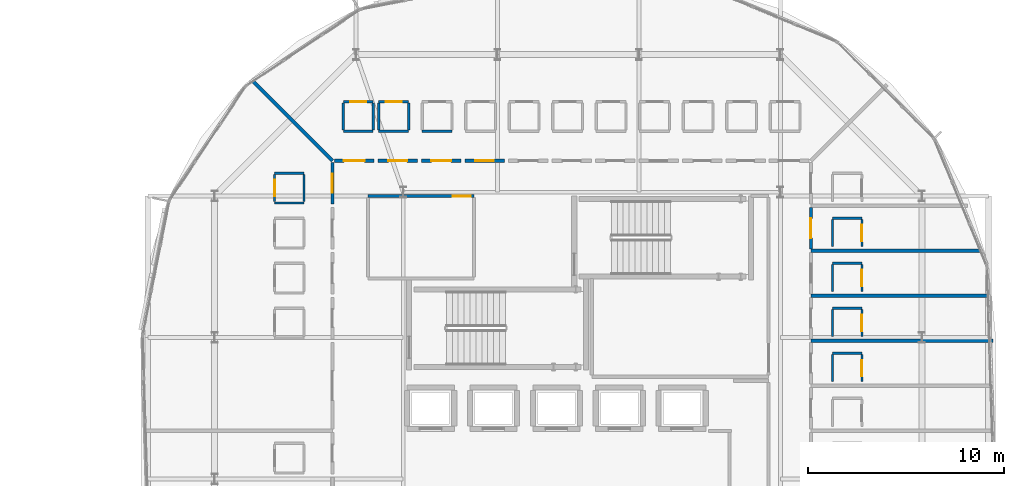
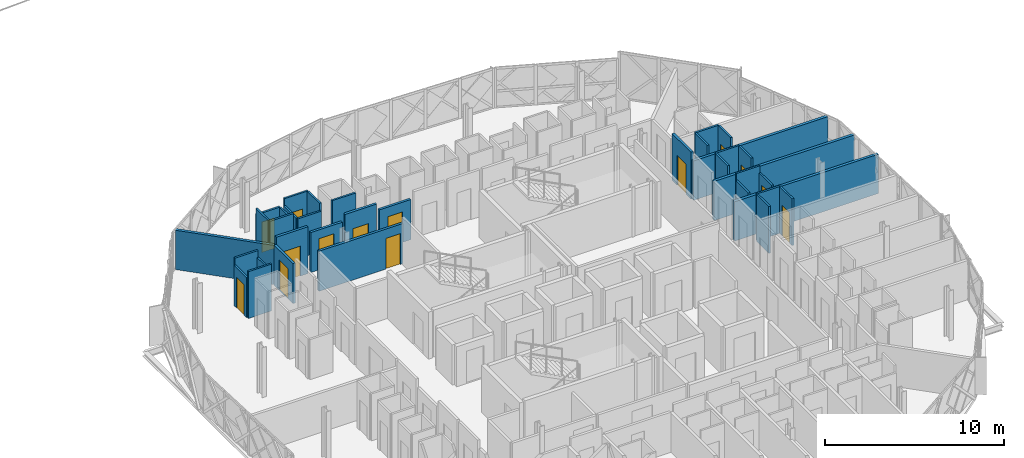
# One storey, part 43 of 50: 36 walls, 14 doors, 14 openings.
"""IFC4 building model written with IfcOpenShell, lengths in metres."""

from ifc_helpers import new_model, si_unit, direction, frame, frame_2d, origin, place, context, subcontext, project, spatial, rectangle, extrude, material, layer, layer_set, type_object, element, fill, save


model = new_model("IFC4")

# Units and contexts
model_context = context("Model", 3, precision=1e-05, world=origin(), true_north=direction((0.0, 1.0)))
body_context = subcontext(model_context, "Body", "Model", "MODEL_VIEW")
ifc_project = project(units=[si_unit("LENGTHUNIT", "METRE"), si_unit("AREAUNIT", "SQUARE_METRE"), si_unit("VOLUMEUNIT", "CUBIC_METRE"), si_unit("PLANEANGLEUNIT", "RADIAN"), si_unit("MASSUNIT", "GRAM", prefix="KILO")], contexts=[model_context])

# Site, building, storey
site_placement = place(None, origin())
site = spatial("IfcSite", under=ifc_project, at=site_placement, CompositionType="ELEMENT")
building_placement = place(site_placement, origin())
building = spatial("IfcBuilding", under=site, at=building_placement, Name="Zevrakil Square Congress Hotel", CompositionType="ELEMENT")
storey_placement = place(building_placement, frame((0.0, 0.0, 21.5)))
storey = spatial("IfcBuildingStorey", under=building, at=storey_placement, Name="L06", CompositionType="ELEMENT", Elevation=21.5)

# Wall, opening, door
ifc_material_1 = material(Name="Gypsum Acoustic Stud Partition")
ifc_layer_1 = layer(ifc_material_1, 0.159912109375)
ifc_layer_set_1 = layer_set([ifc_layer_1], Name="Gypsum Acoustic Stud Partition")
wall_type_1 = type_object("IfcWallType", Name="WAL-CORR-160", PredefinedType="PARTITIONING", material=ifc_layer_set_1)
wall_1_placement = place(storey_placement, frame((135.0, 38.39990234375, 0.0), z_axis=(0.0, 0.0, 1.0), x_axis=(1.0, 0.0, 0.0)))
wall_1 = element("IfcWall", 1, at=wall_1_placement, inside=storey, type_object=wall_type_1, Name="L06 interior partition PW-L06-0696", PredefinedType="PARTITIONING", context=body_context, shape_type="SweptSolid", body=[
    extrude(rectangle(XDim=5.39990234375, YDim=0.159912109375, at=frame_2d((2.699951171875, 0.0))), origin(), (0.0, 0.0, 1.0), 2.72998046875),
])
opening_1_placement = place(wall_1_placement, frame((4.320068359375, 0.0, 0.0)))
opening_1 = element("IfcOpeningElement", 2, at=opening_1_placement, cuts=wall_1, Name="Opening ID-07", PredefinedType="OPENING", context=body_context, shape_type="SweptSolid", body=[
    extrude(rectangle(XDim=0.919921875, YDim=2.10009765625, at=frame_2d((0.4599609375, 1.050048828125))), frame((0.0, 0.08984375, 0.0), z_axis=(0.0, -1.0, 0.0), x_axis=(1.0, 0.0, 0.0)), (0.0, 0.0, 1.0), 0.179931640625),
])
ifc_material_2 = material(Name="Accessible Restroom Door")
door_type_1 = type_object("IfcDoorType", Name="DOR-WC-092", OperationType="NOTDEFINED", PredefinedType="DOOR", material=ifc_material_2)
door_1_placement = place(opening_1_placement, origin())
door_1 = element("IfcDoor", 3, at=door_1_placement, inside=storey, type_object=door_type_1, Name="L06 interior door 277", OperationType="SINGLE_SWING_LEFT", OverallHeight=2.10009765625, OverallWidth=0.919921875, PredefinedType="DOOR", context=body_context, shape_type="SweptSolid", body=[
    extrude(rectangle(XDim=0.919921875, YDim=2.10009765625, at=frame_2d((0.4599609375, 1.050048828125))), frame((0.0, 0.02490234375, 0.0), z_axis=(0.0, -1.0, 0.0), x_axis=(1.0, 0.0, 0.0)), (0.0, 0.0, 1.0), 0.050048828125),
])
fill(opening_1, door_1)

wall_2_placement = place(storey_placement, frame((157.550048828125, 35.713134765625, 0.0), z_axis=(0.0, 0.0, 1.0), x_axis=(0.0, 1.0, 0.0)))
wall_2 = element("IfcWall", 4, at=wall_2_placement, inside=storey, type_object=wall_type_1, Name="L06 interior partition PW-L06-0807", PredefinedType="PARTITIONING", context=body_context, shape_type="SweptSolid", body=[
    extrude(rectangle(XDim=2.10107421875, YDim=0.159912109375, at=frame_2d((1.050537109375, 0.0))), origin(), (0.0, 0.0, 1.0), 3.195068359375),
])
opening_2_placement = place(wall_2_placement, frame((0.548095703125, 0.0, 0.0)))
opening_2 = element("IfcOpeningElement", 5, at=opening_2_placement, cuts=wall_2, Name="Opening ID-G07", PredefinedType="OPENING", context=body_context, shape_type="SweptSolid", body=[
    extrude(rectangle(XDim=1.0048828125, YDim=2.050048828125, at=frame_2d((0.50244140625, 1.02490234375))), frame((0.0, 0.08984375, 0.0), z_axis=(0.0, -1.0, 0.0), x_axis=(1.0, 0.0, 0.0)), (0.0, 0.0, 1.0), 0.179931640625),
])
ifc_material_3 = material(Name="Acoustic Timber Fire Door", Category="wood")
door_type_2 = type_object("IfcDoorType", Name="DOR-INT-G07", OperationType="NOTDEFINED", PredefinedType="DOOR", material=ifc_material_3)
door_2_placement = place(opening_2_placement, origin())
door_2 = element("IfcDoor", 6, at=door_2_placement, inside=storey, type_object=door_type_2, Name="L06 interior door 319", OperationType="SINGLE_SWING_LEFT", OverallHeight=2.050048828125, OverallWidth=1.0048828125, PredefinedType="DOOR", context=body_context, shape_type="SweptSolid", body=[
    extrude(rectangle(XDim=1.0048828125, YDim=2.050048828125, at=frame_2d((0.50244140625, 1.02490234375))), frame((0.0, 0.02490234375, 0.0), z_axis=(0.0, -1.0, 0.0), x_axis=(1.0, 0.0, 0.0)), (0.0, 0.0, 1.0), 0.050048828125),
])
fill(opening_2, door_2)

wall_3_placement = place(storey_placement, frame((139.935791015625, 40.199951171875, 0.0), z_axis=(0.0, 0.0, 1.0), x_axis=(1.0, 0.0, 0.0)))
wall_3 = element("IfcWall", 7, at=wall_3_placement, inside=storey, type_object=wall_type_1, Name="L06 interior partition PW-L06-0852", PredefinedType="PARTITIONING", context=body_context, shape_type="SweptSolid", body=[
    extrude(rectangle(XDim=2.023681640625, YDim=0.159912109375, at=frame_2d((1.01171875, 0.0))), origin(), (0.0, 0.0, 1.0), 2.72998046875),
])
opening_3_placement = place(wall_3_placement, frame((0.543701171875, 0.0, 0.0)))
opening_3 = element("IfcOpeningElement", 8, at=opening_3_placement, cuts=wall_3, Name="Opening ID-H08", PredefinedType="OPENING", context=body_context, shape_type="SweptSolid", body=[
    extrude(rectangle(XDim=0.93603515625, YDim=2.070068359375, at=frame_2d((0.468017578125, 1.03515625))), frame((0.0, 0.08984375, 0.0), z_axis=(0.0, -1.0, 0.0), x_axis=(1.0, 0.0, 0.0)), (0.0, 0.0, 1.0), 0.179931640625),
])
ifc_material_4 = material(Name="Acoustic Timber Fire Door", Category="wood")
door_type_3 = type_object("IfcDoorType", Name="DOR-INT-H08", OperationType="NOTDEFINED", PredefinedType="DOOR", material=ifc_material_4)
door_3_placement = place(opening_3_placement, origin())
door_3 = element("IfcDoor", 9, at=door_3_placement, inside=storey, type_object=door_type_3, Name="L06 interior door 337", OperationType="SINGLE_SWING_LEFT", OverallHeight=2.070068359375, OverallWidth=0.93603515625, PredefinedType="DOOR", context=body_context, shape_type="SweptSolid", body=[
    extrude(rectangle(XDim=0.93603515625, YDim=2.070068359375, at=frame_2d((0.468017578125, 1.03515625))), frame((0.0, 0.02490234375, 0.0), z_axis=(0.0, -1.0, 0.0), x_axis=(1.0, 0.0, 0.0)), (0.0, 0.0, 1.0), 0.050048828125),
])
fill(opening_3, door_3)

wall_4_placement = place(storey_placement, frame((137.722412109375, 40.199951171875, 0.0), z_axis=(0.0, 0.0, 1.0), x_axis=(1.0, 0.0, 0.0)))
wall_4 = element("IfcWall", 10, at=wall_4_placement, inside=storey, type_object=wall_type_1, Name="L06 interior partition PW-L06-0857", PredefinedType="PARTITIONING", context=body_context, shape_type="SweptSolid", body=[
    extrude(rectangle(XDim=2.0234375, YDim=0.159912109375, at=frame_2d((1.01171875, 0.0))), origin(), (0.0, 0.0, 1.0), 3.195068359375),
])
opening_4_placement = place(wall_4_placement, frame((0.50927734375, 0.0, 0.0)))
opening_4 = element("IfcOpeningElement", 11, at=opening_4_placement, cuts=wall_4, Name="Opening ID-G07", PredefinedType="OPENING", context=body_context, shape_type="SweptSolid", body=[
    extrude(rectangle(XDim=1.0048828125, YDim=2.050048828125, at=frame_2d((0.50244140625, 1.02490234375))), frame((0.0, 0.08984375, 0.0), z_axis=(0.0, -1.0, 0.0), x_axis=(1.0, 0.0, 0.0)), (0.0, 0.0, 1.0), 0.179931640625),
])
door_4_placement = place(opening_4_placement, origin())
door_4 = element("IfcDoor", 12, at=door_4_placement, inside=storey, type_object=door_type_2, Name="L06 interior door 339", OperationType="SINGLE_SWING_LEFT", OverallHeight=2.050048828125, OverallWidth=1.0048828125, PredefinedType="DOOR", context=body_context, shape_type="SweptSolid", body=[
    extrude(rectangle(XDim=1.0048828125, YDim=2.050048828125, at=frame_2d((0.50244140625, 1.02490234375))), frame((0.0, 0.02490234375, 0.0), z_axis=(0.0, -1.0, 0.0), x_axis=(1.0, 0.0, 0.0)), (0.0, 0.0, 1.0), 0.050048828125),
])
fill(opening_4, door_4)

wall_5_placement = place(storey_placement, frame((135.5087890625, 40.199951171875, 0.0), z_axis=(0.0, 0.0, 1.0), x_axis=(1.0, 0.0, 0.0)))
wall_5 = element("IfcWall", 13, at=wall_5_placement, inside=storey, type_object=wall_type_1, Name="L06 interior partition PW-L06-0862", PredefinedType="PARTITIONING", context=body_context, shape_type="SweptSolid", body=[
    extrude(rectangle(XDim=2.0234375, YDim=0.159912109375, at=frame_2d((1.01171875, 0.0))), origin(), (0.0, 0.0, 1.0), 2.72998046875),
])
opening_5_placement = place(wall_5_placement, frame((0.53173828125, 0.0, 0.0)))
opening_5 = element("IfcOpeningElement", 14, at=opening_5_placement, cuts=wall_5, Name="Opening ID-H10", PredefinedType="OPENING", context=body_context, shape_type="SweptSolid", body=[
    extrude(rectangle(XDim=0.9599609375, YDim=2.1298828125, at=frame_2d((0.47998046875, 1.06494140625))), frame((0.0, 0.08984375, 0.0), z_axis=(0.0, -1.0, 0.0), x_axis=(1.0, 0.0, 0.0)), (0.0, 0.0, 1.0), 0.179931640625),
])
ifc_material_5 = material(Name="Acoustic Timber Fire Door", Category="wood")
door_type_4 = type_object("IfcDoorType", Name="DOR-INT-H10", OperationType="NOTDEFINED", PredefinedType="DOOR", material=ifc_material_5)
door_5_placement = place(opening_5_placement, origin())
door_5 = element("IfcDoor", 15, at=door_5_placement, inside=storey, type_object=door_type_4, Name="L06 interior door 341", OperationType="SINGLE_SWING_LEFT", OverallHeight=2.1298828125, OverallWidth=0.9599609375, PredefinedType="DOOR", context=body_context, shape_type="SweptSolid", body=[
    extrude(rectangle(XDim=0.9599609375, YDim=2.1298828125, at=frame_2d((0.47998046875, 1.06494140625))), frame((0.0, 0.02490234375, 0.0), z_axis=(0.0, -1.0, 0.0), x_axis=(1.0, 0.0, 0.0)), (0.0, 0.0, 1.0), 0.050048828125),
])
fill(opening_5, door_5)

wall_6_placement = place(storey_placement, frame((133.294921875, 40.199951171875, 0.0), z_axis=(0.0, 0.0, 1.0), x_axis=(1.0, 0.0, 0.0)))
wall_6 = element("IfcWall", 16, at=wall_6_placement, inside=storey, type_object=wall_type_1, Name="L06 interior partition PW-L06-0867", PredefinedType="PARTITIONING", context=body_context, shape_type="SweptSolid", body=[
    extrude(rectangle(XDim=2.023681640625, YDim=0.159912109375, at=frame_2d((1.01171875, 0.0))), origin(), (0.0, 0.0, 1.0), 3.195068359375),
])
opening_6_placement = place(wall_6_placement, frame((0.484375, 0.0, 0.0)))
opening_6 = element("IfcOpeningElement", 17, at=opening_6_placement, cuts=wall_6, Name="Opening ID-G09", PredefinedType="OPENING", context=body_context, shape_type="SweptSolid", body=[
    extrude(rectangle(XDim=1.054931640625, YDim=2.050048828125, at=frame_2d((0.52734375, 1.02490234375))), frame((0.0, 0.08984375, 0.0), z_axis=(0.0, -1.0, 0.0), x_axis=(1.0, 0.0, 0.0)), (0.0, 0.0, 1.0), 0.179931640625),
])
ifc_material_6 = material(Name="Acoustic Timber Fire Door", Category="wood")
door_type_5 = type_object("IfcDoorType", Name="DOR-INT-G09", OperationType="NOTDEFINED", PredefinedType="DOOR", material=ifc_material_6)
door_6_placement = place(opening_6_placement, origin())
door_6 = element("IfcDoor", 18, at=door_6_placement, inside=storey, type_object=door_type_5, Name="L06 interior door 343", OperationType="SINGLE_SWING_LEFT", OverallHeight=2.050048828125, OverallWidth=1.054931640625, PredefinedType="DOOR", context=body_context, shape_type="SweptSolid", body=[
    extrude(rectangle(XDim=1.054931640625, YDim=2.050048828125, at=frame_2d((0.52734375, 1.02490234375))), frame((0.0, 0.02490234375, 0.0), z_axis=(0.0, -1.0, 0.0), x_axis=(1.0, 0.0, 0.0)), (0.0, 0.0, 1.0), 0.050048828125),
])
fill(opening_6, door_6)

wall_7_placement = place(storey_placement, frame((133.199951171875, 38.004150390625, 0.0), z_axis=(0.0, 0.0, 1.0), x_axis=(0.0, 1.0, 0.0)))
wall_7 = element("IfcWall", 19, at=wall_7_placement, inside=storey, type_object=wall_type_1, Name="L06 interior partition PW-L06-0873", PredefinedType="PARTITIONING", context=body_context, shape_type="SweptSolid", body=[
    extrude(rectangle(XDim=2.100830078125, YDim=0.159912109375, at=frame_2d((1.05029296875, 0.0))), origin(), (0.0, 0.0, 1.0), 2.72998046875),
])
opening_7_placement = place(wall_7_placement, frame((0.558349609375, 0.0, 0.0)))
opening_7 = element("IfcOpeningElement", 20, at=opening_7_placement, cuts=wall_7, Name="Opening ID-H12", PredefinedType="OPENING", context=body_context, shape_type="SweptSolid", body=[
    extrude(rectangle(XDim=0.98388671875, YDim=2.070068359375, at=frame_2d((0.491943359375, 1.03515625))), frame((0.0, 0.08984375, 0.0), z_axis=(0.0, -1.0, 0.0), x_axis=(1.0, 0.0, 0.0)), (0.0, 0.0, 1.0), 0.179931640625),
])
ifc_material_7 = material(Name="Acoustic Timber Fire Door", Category="wood")
door_type_6 = type_object("IfcDoorType", Name="DOR-INT-H12", OperationType="NOTDEFINED", PredefinedType="DOOR", material=ifc_material_7)
door_7_placement = place(opening_7_placement, origin())
door_7 = element("IfcDoor", 21, at=door_7_placement, inside=storey, type_object=door_type_6, Name="L06 interior door 345", OperationType="SINGLE_SWING_LEFT", OverallHeight=2.070068359375, OverallWidth=0.98388671875, PredefinedType="DOOR", context=body_context, shape_type="SweptSolid", body=[
    extrude(rectangle(XDim=0.98388671875, YDim=2.070068359375, at=frame_2d((0.491943359375, 1.03515625))), frame((0.0, 0.02490234375, 0.0), z_axis=(0.0, -1.0, 0.0), x_axis=(1.0, 0.0, 0.0)), (0.0, 0.0, 1.0), 0.050048828125),
])
fill(opening_7, door_7)

# Walls
ifc_material_8 = material(Name="Moisture-Resistant Gypsum Partition")
ifc_layer_2 = layer(ifc_material_8, 0.1201171875)
ifc_layer_set_2 = layer_set([ifc_layer_2], Name="Moisture-Resistant Gypsum Partition")
wall_type_2 = type_object("IfcWallType", Name="WAL-ENS-120", PredefinedType="PARTITIONING", material=ifc_layer_set_2)
wall_8_placement = place(storey_placement, frame((158.64990234375, 30.405517578125, 0.0), z_axis=(0.0, 0.0, 1.0), x_axis=(1.0, 0.0, 0.0)))
element("IfcWall", 22, at=wall_8_placement, inside=storey, type_object=wall_type_2, Name="L06 interior partition PW-L06-0793", PredefinedType="PARTITIONING", context=body_context, shape_type="SweptSolid", body=[
    extrude(rectangle(XDim=1.5, YDim=0.1201171875, at=frame_2d((0.75, 0.0))), origin(), (0.0, 0.0, 1.0), 3.195068359375),
])
wall_9_placement = place(storey_placement, frame((158.64990234375, 28.950439453125, 0.0), z_axis=(0.0, 0.0, 1.0), x_axis=(0.0, 1.0, 0.0)))
element("IfcWall", 23, at=wall_9_placement, inside=storey, type_object=wall_type_2, Name="L06 interior partition PW-L06-0794", PredefinedType="PARTITIONING", context=body_context, shape_type="SweptSolid", body=[
    extrude(rectangle(XDim=1.39013671875, YDim=0.1201171875, at=frame_2d((0.695068359375, 0.0))), origin(), (0.0, 0.0, 1.0), 3.195068359375),
])

# Wall, opening, door
wall_10_placement = place(storey_placement, frame((160.14990234375, 28.950439453125, 0.0), z_axis=(0.0, 0.0, 1.0), x_axis=(0.0, 1.0, 0.0)))
wall_10 = element("IfcWall", 24, at=wall_10_placement, inside=storey, type_object=wall_type_2, Name="L06 interior partition PW-L06-0795", PredefinedType="PARTITIONING", context=body_context, shape_type="SweptSolid", body=[
    extrude(rectangle(XDim=1.39013671875, YDim=0.1201171875, at=frame_2d((0.695068359375, 0.0))), origin(), (0.0, 0.0, 1.0), 3.195068359375),
])
opening_8_placement = place(wall_10_placement, frame((0.284912109375, 0.0, 0.0)))
opening_8 = element("IfcOpeningElement", 25, at=opening_8_placement, cuts=wall_10, Name="Opening ID-11", PredefinedType="OPENING", context=body_context, shape_type="SweptSolid", body=[
    extrude(rectangle(XDim=0.820068359375, YDim=2.080078125, at=frame_2d((0.41015625, 1.0400390625))), frame((0.0, 0.070068359375, 0.0), z_axis=(0.0, -1.0, 0.0), x_axis=(1.0, 0.0, 0.0)), (0.0, 0.0, 1.0), 0.14013671875),
])
ifc_material_9 = material(Name="Acoustic Timber Door", Category="wood")
door_type_7 = type_object("IfcDoorType", Name="DOR-INT-V01", OperationType="NOTDEFINED", PredefinedType="DOOR", material=ifc_material_9)
door_8_placement = place(opening_8_placement, origin())
door_8 = element("IfcDoor", 26, at=door_8_placement, inside=storey, type_object=door_type_7, Name="L06 interior door 314", OperationType="SINGLE_SWING_RIGHT", OverallHeight=2.080078125, OverallWidth=0.820068359375, PredefinedType="DOOR", context=body_context, shape_type="SweptSolid", body=[
    extrude(rectangle(XDim=0.820068359375, YDim=2.080078125, at=frame_2d((0.41015625, 1.0400390625))), frame((0.0, 0.02490234375, 0.0), z_axis=(0.0, -1.0, 0.0), x_axis=(1.0, 0.0, 0.0)), (0.0, 0.0, 1.0), 0.050048828125),
])
fill(opening_8, door_8)

# Walls
wall_11_placement = place(storey_placement, frame((158.64990234375, 32.6962890625, 0.0), z_axis=(0.0, 0.0, 1.0), x_axis=(1.0, 0.0, 0.0)))
element("IfcWall", 27, at=wall_11_placement, inside=storey, type_object=wall_type_2, Name="L06 interior partition PW-L06-0798", PredefinedType="PARTITIONING", context=body_context, shape_type="SweptSolid", body=[
    extrude(rectangle(XDim=1.5, YDim=0.1201171875, at=frame_2d((0.75, 0.0))), origin(), (0.0, 0.0, 1.0), 3.195068359375),
])
wall_12_placement = place(storey_placement, frame((158.64990234375, 31.241455078125, 0.0), z_axis=(0.0, 0.0, 1.0), x_axis=(0.0, 1.0, 0.0)))
element("IfcWall", 28, at=wall_12_placement, inside=storey, type_object=wall_type_2, Name="L06 interior partition PW-L06-0799", PredefinedType="PARTITIONING", context=body_context, shape_type="SweptSolid", body=[
    extrude(rectangle(XDim=1.389892578125, YDim=0.1201171875, at=frame_2d((0.69482421875, 0.0))), origin(), (0.0, 0.0, 1.0), 2.72998046875),
])

# Wall, opening, door
wall_13_placement = place(storey_placement, frame((160.14990234375, 31.241455078125, 0.0), z_axis=(0.0, 0.0, 1.0), x_axis=(0.0, 1.0, 0.0)))
wall_13 = element("IfcWall", 29, at=wall_13_placement, inside=storey, type_object=wall_type_2, Name="L06 interior partition PW-L06-0800", PredefinedType="PARTITIONING", context=body_context, shape_type="SweptSolid", body=[
    extrude(rectangle(XDim=1.389892578125, YDim=0.1201171875, at=frame_2d((0.69482421875, 0.0))), origin(), (0.0, 0.0, 1.0), 2.72998046875),
])
opening_9_placement = place(wall_13_placement, frame((0.284912109375, 0.0, 0.0)))
opening_9 = element("IfcOpeningElement", 30, at=opening_9_placement, cuts=wall_13, Name="Opening ID-11", PredefinedType="OPENING", context=body_context, shape_type="SweptSolid", body=[
    extrude(rectangle(XDim=0.820068359375, YDim=2.080078125, at=frame_2d((0.41015625, 1.0400390625))), frame((0.0, 0.070068359375, 0.0), z_axis=(0.0, -1.0, 0.0), x_axis=(1.0, 0.0, 0.0)), (0.0, 0.0, 1.0), 0.14013671875),
])
door_9_placement = place(opening_9_placement, origin())
door_9 = element("IfcDoor", 31, at=door_9_placement, inside=storey, type_object=door_type_7, Name="L06 interior door 316", OperationType="SINGLE_SWING_RIGHT", OverallHeight=2.080078125, OverallWidth=0.820068359375, PredefinedType="DOOR", context=body_context, shape_type="SweptSolid", body=[
    extrude(rectangle(XDim=0.820068359375, YDim=2.080078125, at=frame_2d((0.41015625, 1.0400390625))), frame((0.0, 0.02490234375, 0.0), z_axis=(0.0, -1.0, 0.0), x_axis=(1.0, 0.0, 0.0)), (0.0, 0.0, 1.0), 0.050048828125),
])
fill(opening_9, door_9)

# Walls
wall_14_placement = place(storey_placement, frame((158.64990234375, 34.9873046875, 0.0), z_axis=(0.0, 0.0, 1.0), x_axis=(1.0, 0.0, 0.0)))
element("IfcWall", 32, at=wall_14_placement, inside=storey, type_object=wall_type_2, Name="L06 interior partition PW-L06-0803", PredefinedType="PARTITIONING", context=body_context, shape_type="SweptSolid", body=[
    extrude(rectangle(XDim=1.5, YDim=0.1201171875, at=frame_2d((0.75, 0.0))), origin(), (0.0, 0.0, 1.0), 3.195068359375),
])
wall_15_placement = place(storey_placement, frame((158.64990234375, 33.5322265625, 0.0), z_axis=(0.0, 0.0, 1.0), x_axis=(0.0, 1.0, 0.0)))
element("IfcWall", 33, at=wall_15_placement, inside=storey, type_object=wall_type_2, Name="L06 interior partition PW-L06-0804", PredefinedType="PARTITIONING", context=body_context, shape_type="SweptSolid", body=[
    extrude(rectangle(XDim=1.39013671875, YDim=0.1201171875, at=frame_2d((0.695068359375, 0.0))), origin(), (0.0, 0.0, 1.0), 3.195068359375),
])

# Wall, opening, door
wall_16_placement = place(storey_placement, frame((160.14990234375, 33.5322265625, 0.0), z_axis=(0.0, 0.0, 1.0), x_axis=(0.0, 1.0, 0.0)))
wall_16 = element("IfcWall", 34, at=wall_16_placement, inside=storey, type_object=wall_type_2, Name="L06 interior partition PW-L06-0805", PredefinedType="PARTITIONING", context=body_context, shape_type="SweptSolid", body=[
    extrude(rectangle(XDim=1.39013671875, YDim=0.1201171875, at=frame_2d((0.695068359375, 0.0))), origin(), (0.0, 0.0, 1.0), 3.195068359375),
])
opening_10_placement = place(wall_16_placement, frame((0.284912109375, 0.0, 0.0)))
opening_10 = element("IfcOpeningElement", 35, at=opening_10_placement, cuts=wall_16, Name="Opening ID-11", PredefinedType="OPENING", context=body_context, shape_type="SweptSolid", body=[
    extrude(rectangle(XDim=0.820068359375, YDim=2.080078125, at=frame_2d((0.41015625, 1.0400390625))), frame((0.0, 0.070068359375, 0.0), z_axis=(0.0, -1.0, 0.0), x_axis=(1.0, 0.0, 0.0)), (0.0, 0.0, 1.0), 0.14013671875),
])
door_10_placement = place(opening_10_placement, origin())
door_10 = element("IfcDoor", 36, at=door_10_placement, inside=storey, type_object=door_type_7, Name="L06 interior door 318", OperationType="SINGLE_SWING_RIGHT", OverallHeight=2.080078125, OverallWidth=0.820068359375, PredefinedType="DOOR", context=body_context, shape_type="SweptSolid", body=[
    extrude(rectangle(XDim=0.820068359375, YDim=2.080078125, at=frame_2d((0.41015625, 1.0400390625))), frame((0.0, 0.02490234375, 0.0), z_axis=(0.0, -1.0, 0.0), x_axis=(1.0, 0.0, 0.0)), (0.0, 0.0, 1.0), 0.050048828125),
])
fill(opening_10, door_10)

# Walls
wall_17_placement = place(storey_placement, frame((158.64990234375, 37.2783203125, 0.0), z_axis=(0.0, 0.0, 1.0), x_axis=(1.0, 0.0, 0.0)))
element("IfcWall", 37, at=wall_17_placement, inside=storey, type_object=wall_type_2, Name="L06 interior partition PW-L06-0808", PredefinedType="PARTITIONING", context=body_context, shape_type="SweptSolid", body=[
    extrude(rectangle(XDim=1.5, YDim=0.1201171875, at=frame_2d((0.75, 0.0))), origin(), (0.0, 0.0, 1.0), 3.195068359375),
])
wall_18_placement = place(storey_placement, frame((158.64990234375, 35.8232421875, 0.0), z_axis=(0.0, 0.0, 1.0), x_axis=(0.0, 1.0, 0.0)))
element("IfcWall", 38, at=wall_18_placement, inside=storey, type_object=wall_type_2, Name="L06 interior partition PW-L06-0809", PredefinedType="PARTITIONING", context=body_context, shape_type="SweptSolid", body=[
    extrude(rectangle(XDim=1.389892578125, YDim=0.1201171875, at=frame_2d((0.69482421875, 0.0))), origin(), (0.0, 0.0, 1.0), 3.195068359375),
])

# Wall, opening, door
wall_19_placement = place(storey_placement, frame((160.14990234375, 35.8232421875, 0.0), z_axis=(0.0, 0.0, 1.0), x_axis=(0.0, 1.0, 0.0)))
wall_19 = element("IfcWall", 39, at=wall_19_placement, inside=storey, type_object=wall_type_2, Name="L06 interior partition PW-L06-0810", PredefinedType="PARTITIONING", context=body_context, shape_type="SweptSolid", body=[
    extrude(rectangle(XDim=1.389892578125, YDim=0.1201171875, at=frame_2d((0.69482421875, 0.0))), origin(), (0.0, 0.0, 1.0), 3.195068359375),
])
opening_11_placement = place(wall_19_placement, frame((0.284912109375, 0.0, 0.0)))
opening_11 = element("IfcOpeningElement", 40, at=opening_11_placement, cuts=wall_19, Name="Opening ID-11", PredefinedType="OPENING", context=body_context, shape_type="SweptSolid", body=[
    extrude(rectangle(XDim=0.820068359375, YDim=2.080078125, at=frame_2d((0.41015625, 1.0400390625))), frame((0.0, 0.070068359375, 0.0), z_axis=(0.0, -1.0, 0.0), x_axis=(1.0, 0.0, 0.0)), (0.0, 0.0, 1.0), 0.14013671875),
])
door_11_placement = place(opening_11_placement, origin())
door_11 = element("IfcDoor", 41, at=door_11_placement, inside=storey, type_object=door_type_7, Name="L06 interior door 320", OperationType="SINGLE_SWING_RIGHT", OverallHeight=2.080078125, OverallWidth=0.820068359375, PredefinedType="DOOR", context=body_context, shape_type="SweptSolid", body=[
    extrude(rectangle(XDim=0.820068359375, YDim=2.080078125, at=frame_2d((0.41015625, 1.0400390625))), frame((0.0, 0.02490234375, 0.0), z_axis=(0.0, -1.0, 0.0), x_axis=(1.0, 0.0, 0.0)), (0.0, 0.0, 1.0), 0.050048828125),
])
fill(opening_11, door_11)

# Walls
wall_20_placement = place(storey_placement, frame((137.767333984375, 41.699951171875, 0.0), z_axis=(0.0, 0.0, 1.0), x_axis=(1.0, 0.0, 0.0)))
element("IfcWall", 42, at=wall_20_placement, inside=storey, type_object=wall_type_2, Name="L06 interior partition PW-L06-0858", PredefinedType="PARTITIONING", context=body_context, shape_type="SweptSolid", body=[
    extrude(rectangle(XDim=1.52001953125, YDim=0.1201171875, at=frame_2d((0.760009765625, 0.0))), origin(), (0.0, 0.0, 1.0), 3.195068359375),
])
wall_21_placement = place(storey_placement, frame((135.5537109375, 41.699951171875, 0.0), z_axis=(0.0, 0.0, 1.0), x_axis=(1.0, 0.0, 0.0)))
element("IfcWall", 43, at=wall_21_placement, inside=storey, type_object=wall_type_2, Name="L06 interior partition PW-L06-0863", PredefinedType="PARTITIONING", context=body_context, shape_type="SweptSolid", body=[
    extrude(rectangle(XDim=1.52001953125, YDim=0.1201171875, at=frame_2d((0.760009765625, 0.0))), origin(), (0.0, 0.0, 1.0), 2.72998046875),
])

# Wall, opening, door
wall_22_placement = place(storey_placement, frame((135.5537109375, 43.199951171875, 0.0), z_axis=(0.0, 0.0, 1.0), x_axis=(1.0, 0.0, 0.0)))
wall_22 = element("IfcWall", 44, at=wall_22_placement, inside=storey, type_object=wall_type_2, Name="L06 interior partition PW-L06-0864", PredefinedType="PARTITIONING", context=body_context, shape_type="SweptSolid", body=[
    extrude(rectangle(XDim=1.52001953125, YDim=0.1201171875, at=frame_2d((0.760009765625, 0.0))), origin(), (0.0, 0.0, 1.0), 3.195068359375),
])
opening_12_placement = place(wall_22_placement, frame((0.35009765625, 0.0, 0.0)))
opening_12 = element("IfcOpeningElement", 45, at=opening_12_placement, cuts=wall_22, Name="Opening ID-11", PredefinedType="OPENING", context=body_context, shape_type="SweptSolid", body=[
    extrude(rectangle(XDim=0.820068359375, YDim=2.080078125, at=frame_2d((0.41015625, 1.0400390625))), frame((0.0, 0.070068359375, 0.0), z_axis=(0.0, -1.0, 0.0), x_axis=(1.0, 0.0, 0.0)), (0.0, 0.0, 1.0), 0.14013671875),
])
door_12_placement = place(opening_12_placement, origin())
door_12 = element("IfcDoor", 46, at=door_12_placement, inside=storey, type_object=door_type_7, Name="L06 interior door 342", OperationType="SINGLE_SWING_RIGHT", OverallHeight=2.080078125, OverallWidth=0.820068359375, PredefinedType="DOOR", context=body_context, shape_type="SweptSolid", body=[
    extrude(rectangle(XDim=0.820068359375, YDim=2.080078125, at=frame_2d((0.41015625, 1.0400390625))), frame((0.0, 0.02490234375, 0.0), z_axis=(0.0, -1.0, 0.0), x_axis=(1.0, 0.0, 0.0)), (0.0, 0.0, 1.0), 0.050048828125),
])
fill(opening_12, door_12)

# Walls
wall_23_placement = place(storey_placement, frame((135.5537109375, 41.764892578125, 0.0), z_axis=(0.0, 0.0, 1.0), x_axis=(0.0, 1.0, 0.0)))
element("IfcWall", 47, at=wall_23_placement, inside=storey, type_object=wall_type_2, Name="L06 interior partition PW-L06-0865", PredefinedType="PARTITIONING", context=body_context, shape_type="SweptSolid", body=[
    extrude(rectangle(XDim=1.3701171875, YDim=0.1201171875, at=frame_2d((0.68505859375, 0.0))), origin(), (0.0, 0.0, 1.0), 2.72998046875),
])
wall_24_placement = place(storey_placement, frame((137.07373046875, 41.764892578125, 0.0), z_axis=(0.0, 0.0, 1.0), x_axis=(0.0, 1.0, 0.0)))
element("IfcWall", 48, at=wall_24_placement, inside=storey, type_object=wall_type_2, Name="L06 interior partition PW-L06-0866", PredefinedType="PARTITIONING", context=body_context, shape_type="SweptSolid", body=[
    extrude(rectangle(XDim=1.3701171875, YDim=0.1201171875, at=frame_2d((0.68505859375, 0.0))), origin(), (0.0, 0.0, 1.0), 3.195068359375),
])
wall_25_placement = place(storey_placement, frame((133.753662109375, 41.699951171875, 0.0), z_axis=(0.0, 0.0, 1.0), x_axis=(1.0, 0.0, 0.0)))
element("IfcWall", 49, at=wall_25_placement, inside=storey, type_object=wall_type_2, Name="L06 interior partition PW-L06-0868", PredefinedType="PARTITIONING", context=body_context, shape_type="SweptSolid", body=[
    extrude(rectangle(XDim=1.52001953125, YDim=0.1201171875, at=frame_2d((0.760009765625, 0.0))), origin(), (0.0, 0.0, 1.0), 3.195068359375),
])

# Wall, opening, door
wall_26_placement = place(storey_placement, frame((133.753662109375, 43.199951171875, 0.0), z_axis=(0.0, 0.0, 1.0), x_axis=(1.0, 0.0, 0.0)))
wall_26 = element("IfcWall", 50, at=wall_26_placement, inside=storey, type_object=wall_type_2, Name="L06 interior partition PW-L06-0869", PredefinedType="PARTITIONING", context=body_context, shape_type="SweptSolid", body=[
    extrude(rectangle(XDim=1.52001953125, YDim=0.1201171875, at=frame_2d((0.760009765625, 0.0))), origin(), (0.0, 0.0, 1.0), 2.72998046875),
])
opening_13_placement = place(wall_26_placement, frame((0.35009765625, 0.0, 0.0)))
opening_13 = element("IfcOpeningElement", 51, at=opening_13_placement, cuts=wall_26, Name="Opening ID-11", PredefinedType="OPENING", context=body_context, shape_type="SweptSolid", body=[
    extrude(rectangle(XDim=0.820068359375, YDim=2.080078125, at=frame_2d((0.41015625, 1.0400390625))), frame((0.0, 0.070068359375, 0.0), z_axis=(0.0, -1.0, 0.0), x_axis=(1.0, 0.0, 0.0)), (0.0, 0.0, 1.0), 0.14013671875),
])
door_13_placement = place(opening_13_placement, origin())
door_13 = element("IfcDoor", 52, at=door_13_placement, inside=storey, type_object=door_type_7, Name="L06 interior door 344", OperationType="SINGLE_SWING_RIGHT", OverallHeight=2.080078125, OverallWidth=0.820068359375, PredefinedType="DOOR", context=body_context, shape_type="SweptSolid", body=[
    extrude(rectangle(XDim=0.820068359375, YDim=2.080078125, at=frame_2d((0.41015625, 1.0400390625))), frame((0.0, 0.02490234375, 0.0), z_axis=(0.0, -1.0, 0.0), x_axis=(1.0, 0.0, 0.0)), (0.0, 0.0, 1.0), 0.050048828125),
])
fill(opening_13, door_13)

# Walls
wall_27_placement = place(storey_placement, frame((133.753662109375, 41.764892578125, 0.0), z_axis=(0.0, 0.0, 1.0), x_axis=(0.0, 1.0, 0.0)))
element("IfcWall", 53, at=wall_27_placement, inside=storey, type_object=wall_type_2, Name="L06 interior partition PW-L06-0870", PredefinedType="PARTITIONING", context=body_context, shape_type="SweptSolid", body=[
    extrude(rectangle(XDim=1.3701171875, YDim=0.1201171875, at=frame_2d((0.68505859375, 0.0))), origin(), (0.0, 0.0, 1.0), 3.195068359375),
])
wall_28_placement = place(storey_placement, frame((135.273681640625, 41.764892578125, 0.0), z_axis=(0.0, 0.0, 1.0), x_axis=(0.0, 1.0, 0.0)))
element("IfcWall", 54, at=wall_28_placement, inside=storey, type_object=wall_type_2, Name="L06 interior partition PW-L06-0871", PredefinedType="PARTITIONING", context=body_context, shape_type="SweptSolid", body=[
    extrude(rectangle(XDim=1.3701171875, YDim=0.1201171875, at=frame_2d((0.68505859375, 0.0))), origin(), (0.0, 0.0, 1.0), 2.72998046875),
])
for number, where, z_axis, x_axis, name in (
    (55, (130.25, 38.049072265625, 0.0), (0.0, 0.0, 1.0), (1.0, 0.0, 0.0), "L06 interior partition PW-L06-0874"),
    (56, (130.25, 39.569091796875, 0.0), (0.0, 0.0, 1.0), (1.0, 0.0, 0.0), "L06 interior partition PW-L06-0875"),
):
    element("IfcWall", number, at=place(storey_placement, frame(where, z_axis=z_axis, x_axis=x_axis)), inside=storey, type_object=wall_type_2, Name=name, PredefinedType="PARTITIONING", context=body_context, shape_type="SweptSolid", body=[
        extrude(rectangle(XDim=1.5, YDim=0.1201171875, at=frame_2d((0.75, 0.0))), origin(), (0.0, 0.0, 1.0), 3.195068359375),
    ])

# Wall, opening, door
wall_29_placement = place(storey_placement, frame((130.25, 38.114013671875, 0.0), z_axis=(0.0, 0.0, 1.0), x_axis=(0.0, 1.0, 0.0)))
wall_29 = element("IfcWall", 57, at=wall_29_placement, inside=storey, type_object=wall_type_2, Name="L06 interior partition PW-L06-0876", PredefinedType="PARTITIONING", context=body_context, shape_type="SweptSolid", body=[
    extrude(rectangle(XDim=1.39013671875, YDim=0.1201171875, at=frame_2d((0.695068359375, 0.0))), origin(), (0.0, 0.0, 1.0), 2.72998046875),
])
opening_14_placement = place(wall_29_placement, frame((0.284912109375, 0.0, 0.0)))
opening_14 = element("IfcOpeningElement", 58, at=opening_14_placement, cuts=wall_29, Name="Opening ID-11", PredefinedType="OPENING", context=body_context, shape_type="SweptSolid", body=[
    extrude(rectangle(XDim=0.820068359375, YDim=2.080078125, at=frame_2d((0.41015625, 1.0400390625))), frame((0.0, 0.070068359375, 0.0), z_axis=(0.0, -1.0, 0.0), x_axis=(1.0, 0.0, 0.0)), (0.0, 0.0, 1.0), 0.14013671875),
])
door_14_placement = place(opening_14_placement, origin())
door_14 = element("IfcDoor", 59, at=door_14_placement, inside=storey, type_object=door_type_7, Name="L06 interior door 346", OperationType="SINGLE_SWING_RIGHT", OverallHeight=2.080078125, OverallWidth=0.820068359375, PredefinedType="DOOR", context=body_context, shape_type="SweptSolid", body=[
    extrude(rectangle(XDim=0.820068359375, YDim=2.080078125, at=frame_2d((0.41015625, 1.0400390625))), frame((0.0, 0.02490234375, 0.0), z_axis=(0.0, -1.0, 0.0), x_axis=(1.0, 0.0, 0.0)), (0.0, 0.0, 1.0), 0.050048828125),
])
fill(opening_14, door_14)

# Walls
wall_30_placement = place(storey_placement, frame((131.75, 38.114013671875, 0.0), z_axis=(0.0, 0.0, 1.0), x_axis=(0.0, 1.0, 0.0)))
element("IfcWall", 60, at=wall_30_placement, inside=storey, type_object=wall_type_2, Name="L06 interior partition PW-L06-0877", PredefinedType="PARTITIONING", context=body_context, shape_type="SweptSolid", body=[
    extrude(rectangle(XDim=1.39013671875, YDim=0.1201171875, at=frame_2d((0.695068359375, 0.0))), origin(), (0.0, 0.0, 1.0), 2.72998046875),
])
ifc_material_10 = material(Name="Gypsum Twin-Stud Party Partition")
ifc_layer_3 = layer(ifc_material_10, 0.179931640625)
ifc_layer_set_3 = layer_set([ifc_layer_3], Name="Gypsum Twin-Stud Party Partition")
wall_type_3 = type_object("IfcWallType", Name="WAL-PARTY-180", PredefinedType="PARTITIONING", material=ifc_layer_set_3)
wall_31_placement = place(storey_placement, frame((157.550048828125, 31.036376953125, 0.0), z_axis=(0.0, 0.0, 1.0), x_axis=(1.0, 0.0, 0.0)))
element("IfcWall", 61, at=wall_31_placement, inside=storey, type_object=wall_type_3, Name="L06 interior partition PW-L06-0796", PredefinedType="PARTITIONING", context=body_context, shape_type="SweptSolid", body=[
    extrude(rectangle(XDim=9.260009765625, YDim=0.179931640625, at=frame_2d((4.6298828125, 0.0))), origin(), (0.0, 0.0, 1.0), 2.679931640625),
])
wall_32_placement = place(storey_placement, frame((157.550048828125, 33.327392578125, 0.0), z_axis=(0.0, 0.0, 1.0), x_axis=(1.0, 0.0, 0.0)))
element("IfcWall", 62, at=wall_32_placement, inside=storey, type_object=wall_type_3, Name="L06 interior partition PW-L06-0801", PredefinedType="PARTITIONING", context=body_context, shape_type="SweptSolid", body=[
    extrude(rectangle(XDim=9.058349609375, YDim=0.179931640625, at=frame_2d((4.529296875, 0.0))), origin(), (0.0, 0.0, 1.0), 2.679931640625),
])
wall_33_placement = place(storey_placement, frame((157.550048828125, 35.6181640625, 0.0), z_axis=(0.0, 0.0, 1.0), x_axis=(1.0, 0.0, 0.0)))
element("IfcWall", 63, at=wall_33_placement, inside=storey, type_object=wall_type_3, Name="L06 interior partition PW-L06-0806", PredefinedType="PARTITIONING", context=body_context, shape_type="SweptSolid", body=[
    extrude(rectangle(XDim=8.66064453125, YDim=0.179931640625, at=frame_2d((4.330322265625, 0.0))), origin(), (0.0, 0.0, 1.0), 2.679931640625),
])
wall_34_placement = place(storey_placement, frame((133.199951171875, 40.199951171875, 0.0), z_axis=(0.0, 0.0, 1.0), x_axis=(-0.70708535663, 0.707128205094, 0.0)))
element("IfcWall", 64, at=wall_34_placement, inside=storey, type_object=wall_type_3, Name="L06 interior partition PW-L06-0872", PredefinedType="PARTITIONING", context=body_context, shape_type="SweptSolid", body=[
    extrude(rectangle(XDim=5.69775390625, YDim=0.179931640625, at=frame_2d((2.848876953125, 0.0))), origin(), (0.0, 0.0, 1.0), 2.679931640625),
])

save(model, "model.ifc")
